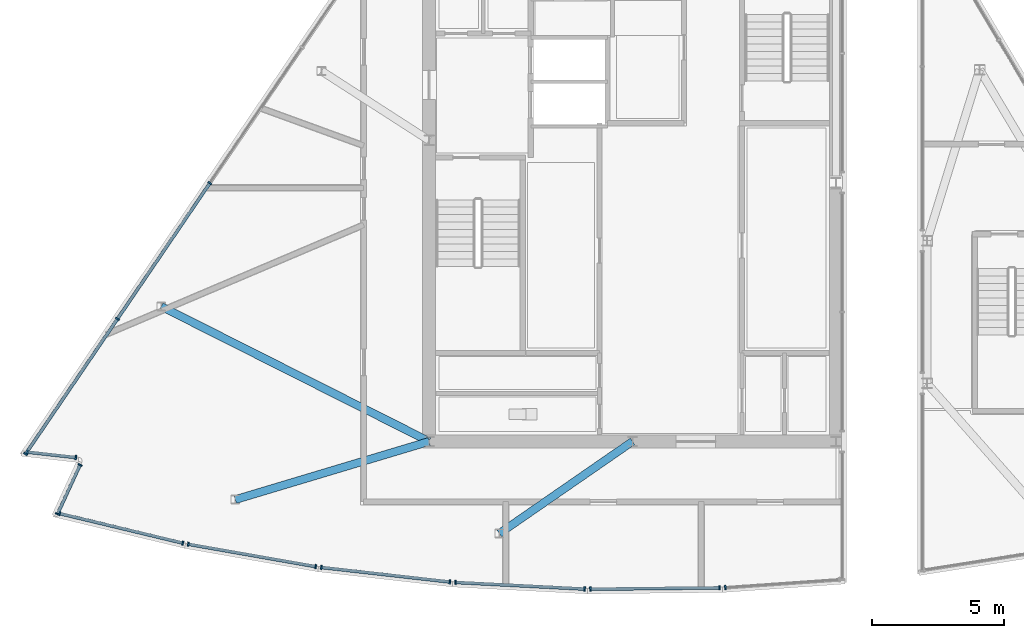
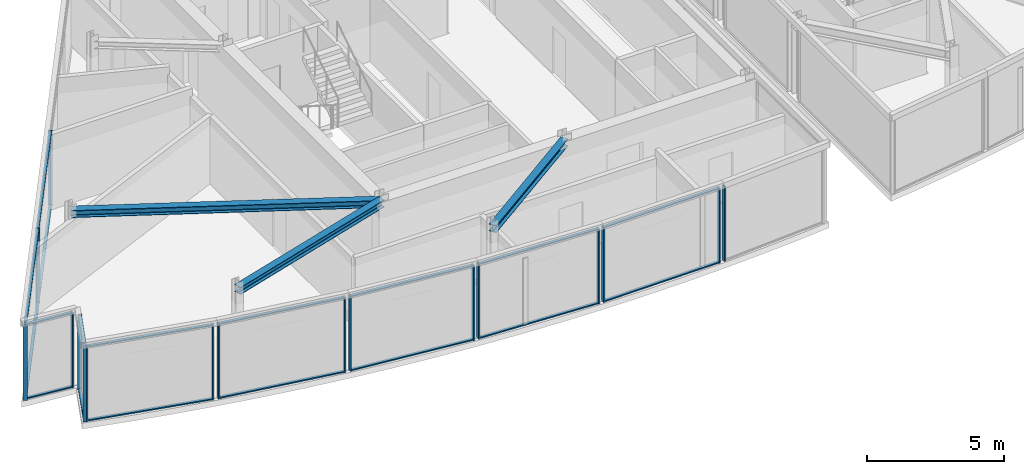
# One storey, part 3 of 15: 36 members, 3 beams, 9 elements without a shape of their own.
"""IFC4 building model written with IfcOpenShell, lengths in metres."""

from ifc_helpers import new_model, si_unit, direction, frame, origin, origin_2d, place, context, subcontext, project, spatial, rectangle, i_section, extrude, material, material_profile, profile_set, type_object, element, aggregate, save


model = new_model("IFC4")

# Units and contexts
model_context = context("Model", 3, precision=1e-05, world=origin(), true_north=direction((0.0, 1.0)))
body_context = subcontext(model_context, "Body", "Model", "MODEL_VIEW")
ifc_project = project(units=[si_unit("LENGTHUNIT", "METRE"), si_unit("AREAUNIT", "SQUARE_METRE"), si_unit("VOLUMEUNIT", "CUBIC_METRE"), si_unit("PLANEANGLEUNIT", "RADIAN"), si_unit("MASSUNIT", "GRAM", prefix="KILO")], contexts=[model_context])

# Site, building, storey
site_placement = place(None, origin())
site = spatial("IfcSite", under=ifc_project, at=site_placement, CompositionType="ELEMENT")
building_placement = place(site_placement, origin())
building = spatial("IfcBuilding", under=site, at=building_placement, Name="Savorim Split Tower", CompositionType="ELEMENT")
storey_placement = place(building_placement, frame((0.0, 0.0, 304.800048828125)))
storey = spatial("IfcBuildingStorey", under=building, at=storey_placement, Name="Crown L81 Plant", CompositionType="ELEMENT", Elevation=304.800048828125)

# Beams
ifc_material_1 = material(Name="Steel S355", Category="steel")
ifc_material_profile_1 = material_profile(ifc_material_1, i_section(OverallWidth=0.300048828125, OverallDepth=0.320068359375, WebThickness=0.011474609375, FlangeThickness=0.0205078125, FilletRadius=0.027099609375, at=origin_2d()), Name="HEB 320")
ifc_profile_set_1 = profile_set([ifc_material_profile_1], Name="Steel S355")
beam_type = type_object("IfcBeamType", Name="BM-PRI-HEB320", PredefinedType="BEAM", material=ifc_profile_set_1)
beam_1_placement = place(storey_placement, frame((-15.037109375, -11.6015625, 3.179931640625), z_axis=(0.957807862617, 0.287409287096, 0.0), x_axis=(-0.287409287096, 0.957807862617, 0.0)))
element("IfcBeam", 1, at=beam_1_placement, inside=storey, type_object=beam_type, Name="Crown L81 Plant West Crown Beam WBG-1", PredefinedType="BEAM", context=body_context, shape_type="SweptSolid", body=[
    extrude(i_section(OverallWidth=0.300048828125, OverallDepth=0.320068359375, WebThickness=0.011474609375, FlangeThickness=0.0205078125, FilletRadius=0.027099609375, at=origin_2d()), origin(), (0.0, 0.0, 1.0), 7.660400390625),
])
beam_2_placement = place(storey_placement, frame((-5.039794921875, -12.885009765625, 3.179931640625), z_axis=(0.82249616242, 0.568770659233, 0.0), x_axis=(-0.568770659233, 0.82249616242, 0.0)))
element("IfcBeam", 2, at=beam_2_placement, inside=storey, type_object=beam_type, Name="Crown L81 Plant West Crown Beam WBG-2", PredefinedType="BEAM", context=body_context, shape_type="SweptSolid", body=[
    extrude(i_section(OverallWidth=0.300048828125, OverallDepth=0.320068359375, WebThickness=0.011474609375, FlangeThickness=0.0205078125, FilletRadius=0.027099609375, at=origin_2d()), origin(), (0.0, 0.0, 1.0), 6.12744140625),
])
beam_3_placement = place(storey_placement, frame((-17.84033203125, -4.288818359375, 3.179931640625), z_axis=(0.892982084202, -0.450092209769, 0.0), x_axis=(0.450092209769, 0.892982084202, 0.0)))
element("IfcBeam", 3, at=beam_3_placement, inside=storey, type_object=beam_type, Name="Crown L81 Plant West Crown Beam WBG-3", PredefinedType="BEAM", context=body_context, shape_type="SweptSolid", body=[
    extrude(i_section(OverallWidth=0.300048828125, OverallDepth=0.320068359375, WebThickness=0.011474609375, FlangeThickness=0.0205078125, FilletRadius=0.027099609375, at=origin_2d()), origin(), (0.0, 0.0, 1.0), 11.355712890625),
])

# Curtain wall, members
ifc_material_2 = material(Name="Dark Ceramic-Fritted Insulated Glass", Category="glass")
curtain_wall_type = type_object("IfcCurtainWallType", Name="CW-CROWN-CREST", PredefinedType="NOTDEFINED", material=ifc_material_2)
curtain_wall_1_placement = place(storey_placement, origin())
curtain_wall_1 = element("IfcCurtainWall", 4, at=curtain_wall_1_placement, inside=storey, type_object=curtain_wall_type, Name="Crown L81 Plant Curtain Wall CW-Crown-L81-Plant-W5A", PredefinedType="NOTDEFINED")
ifc_material_3 = material(Name="Charcoal Anodised Aluminium", Category="aluminium")
ifc_material_profile_2 = material_profile(ifc_material_3, rectangle(XDim=0.159912109375, YDim=0.06005859375, at=origin_2d()), Name="ALU-M 160x60")
ifc_profile_set_2 = profile_set([ifc_material_profile_2], Name="Charcoal Anodised Aluminium")
member_type_1 = type_object("IfcMemberType", Name="CWM-160x60", PredefinedType="MULLION", material=ifc_profile_set_2)
member_1_placement = place(storey_placement, frame((-16.00390625, 0.38037109375, 0.0), z_axis=(0.0, 0.0, 1.0), x_axis=(0.826819666495, -0.562467100457, 0.0)))
member_1 = element("IfcMember", 5, at=member_1_placement, type_object=member_type_1, Name="CW-07 mullion 5", PredefinedType="MULLION", context=body_context, shape_type="SweptSolid", body=[
    extrude(rectangle(XDim=0.159912109375, YDim=0.06005859375, at=origin_2d()), origin(), (0.0, 0.0, 1.0), 3.33984375),
])
member_2_placement = place(storey_placement, frame((-19.500244140625, -4.759033203125, 0.0), z_axis=(0.0, 0.0, 1.0), x_axis=(0.826819666495, -0.562467100457, 0.0)))
member_2 = element("IfcMember", 6, at=member_2_placement, type_object=member_type_1, Name="CW-07 mullion 6", PredefinedType="MULLION", context=body_context, shape_type="SweptSolid", body=[
    extrude(rectangle(XDim=0.159912109375, YDim=0.06005859375, at=origin_2d()), origin(), (0.0, 0.0, 1.0), 3.33984375),
])
member_3_placement = place(storey_placement, frame((-22.979736328125, -9.873779296875, 0.0), z_axis=(0.0, 0.0, 1.0), x_axis=(0.826819666495, -0.562467100457, 0.0)))
member_3 = element("IfcMember", 7, at=member_3_placement, type_object=member_type_1, Name="CW-07 mullion 7", PredefinedType="MULLION", context=body_context, shape_type="SweptSolid", body=[
    extrude(rectangle(XDim=0.159912109375, YDim=0.06005859375, at=origin_2d()), origin(), (0.0, 0.0, 1.0), 3.33984375),
])

curtain_wall_2_placement = place(storey_placement, origin())
curtain_wall_2 = element("IfcCurtainWall", 8, at=curtain_wall_2_placement, inside=storey, type_object=curtain_wall_type, Name="Crown L81 Plant Curtain Wall CW-Crown-L81-Plant-W6A", PredefinedType="NOTDEFINED")
member_4_placement = place(storey_placement, frame((-22.913818359375, -9.802001953125, 0.0), z_axis=(0.0, 0.0, 1.0), x_axis=(0.110983366393, 0.993822263981, 0.0)))
member_4 = element("IfcMember", 9, at=member_4_placement, type_object=member_type_1, Name="CW-07 mullion 1", PredefinedType="MULLION", context=body_context, shape_type="SweptSolid", body=[
    extrude(rectangle(XDim=0.159912109375, YDim=0.06005859375, at=origin_2d()), origin(), (0.0, 0.0, 1.0), 3.33984375),
])
member_5_placement = place(storey_placement, frame((-21.075927734375, -10.007080078125, 0.0), z_axis=(0.0, 0.0, 1.0), x_axis=(0.110983366393, 0.993822263981, 0.0)))
member_5 = element("IfcMember", 10, at=member_5_placement, type_object=member_type_1, Name="CW-07 mullion 2", PredefinedType="MULLION", context=body_context, shape_type="SweptSolid", body=[
    extrude(rectangle(XDim=0.159912109375, YDim=0.06005859375, at=origin_2d()), origin(), (0.0, 0.0, 1.0), 3.33984375),
])

curtain_wall_3_placement = place(storey_placement, origin())
curtain_wall_3 = element("IfcCurtainWall", 11, at=curtain_wall_3_placement, inside=storey, type_object=curtain_wall_type, Name="Crown L81 Plant Curtain Wall CW-Crown-L81-Plant-W7A", PredefinedType="NOTDEFINED")
member_6_placement = place(storey_placement, frame((-20.916748046875, -10.28857421875, 0.0), z_axis=(0.0, 0.0, 1.0), x_axis=(0.908680256395, -0.417492744415, 0.0)))
member_6 = element("IfcMember", 12, at=member_6_placement, type_object=member_type_1, Name="CW-07 mullion 1", PredefinedType="MULLION", context=body_context, shape_type="SweptSolid", body=[
    extrude(rectangle(XDim=0.159912109375, YDim=0.06005859375, at=origin_2d()), origin(), (0.0, 0.0, 1.0), 3.33984375),
])
member_7_placement = place(storey_placement, frame((-21.769775390625, -12.145263671875, 0.0), z_axis=(0.0, 0.0, 1.0), x_axis=(0.908680256395, -0.417492744415, 0.0)))
member_7 = element("IfcMember", 13, at=member_7_placement, type_object=member_type_1, Name="CW-07 mullion 2", PredefinedType="MULLION", context=body_context, shape_type="SweptSolid", body=[
    extrude(rectangle(XDim=0.159912109375, YDim=0.06005859375, at=origin_2d()), origin(), (0.0, 0.0, 1.0), 3.33984375),
])

curtain_wall_4_placement = place(storey_placement, origin())
curtain_wall_4 = element("IfcCurtainWall", 14, at=curtain_wall_4_placement, inside=storey, type_object=curtain_wall_type, Name="Crown L81 Plant Curtain Wall CW-Crown-L81-Plant-W8A", PredefinedType="NOTDEFINED")
member_8_placement = place(storey_placement, frame((-21.687744140625, -12.128662109375, 0.0), z_axis=(0.0, 0.0, 1.0), x_axis=(0.233173472806, 0.972435155463, 0.0)))
member_8 = element("IfcMember", 15, at=member_8_placement, type_object=member_type_1, Name="CW-07 mullion 1", PredefinedType="MULLION", context=body_context, shape_type="SweptSolid", body=[
    extrude(rectangle(XDim=0.159912109375, YDim=0.06005859375, at=origin_2d()), origin(), (0.0, 0.0, 1.0), 3.33984375),
])
member_9_placement = place(storey_placement, frame((-17.02587890625, -13.24658203125, 0.0), z_axis=(0.0, 0.0, 1.0), x_axis=(0.233173472806, 0.972435155463, 0.0)))
member_9 = element("IfcMember", 16, at=member_9_placement, type_object=member_type_1, Name="CW-07 mullion 2", PredefinedType="MULLION", context=body_context, shape_type="SweptSolid", body=[
    extrude(rectangle(XDim=0.159912109375, YDim=0.06005859375, at=origin_2d()), origin(), (0.0, 0.0, 1.0), 3.33984375),
])

curtain_wall_5_placement = place(storey_placement, origin())
curtain_wall_5 = element("IfcCurtainWall", 17, at=curtain_wall_5_placement, inside=storey, type_object=curtain_wall_type, Name="Crown L81 Plant Curtain Wall CW-Crown-L81-Plant-W9A", PredefinedType="NOTDEFINED")
member_10_placement = place(storey_placement, frame((-16.81787109375, -13.289794921875, 0.0), z_axis=(0.0, 0.0, 1.0), x_axis=(0.17306169169, 0.984910986267, 0.0)))
member_10 = element("IfcMember", 18, at=member_10_placement, type_object=member_type_1, Name="CW-07 mullion 1", PredefinedType="MULLION", context=body_context, shape_type="SweptSolid", body=[
    extrude(rectangle(XDim=0.159912109375, YDim=0.06005859375, at=origin_2d()), origin(), (0.0, 0.0, 1.0), 3.33984375),
])
member_11_placement = place(storey_placement, frame((-11.992919921875, -14.137451171875, 0.0), z_axis=(0.0, 0.0, 1.0), x_axis=(0.17306169169, 0.984910986267, 0.0)))
member_11 = element("IfcMember", 19, at=member_11_placement, type_object=member_type_1, Name="CW-07 mullion 2", PredefinedType="MULLION", context=body_context, shape_type="SweptSolid", body=[
    extrude(rectangle(XDim=0.159912109375, YDim=0.06005859375, at=origin_2d()), origin(), (0.0, 0.0, 1.0), 3.33984375),
])

curtain_wall_6_placement = place(storey_placement, origin())
curtain_wall_6 = element("IfcCurtainWall", 20, at=curtain_wall_6_placement, inside=storey, type_object=curtain_wall_type, Name="Crown L81 Plant Curtain Wall CW-Crown-L81-Plant-W10A", PredefinedType="NOTDEFINED")
member_12_placement = place(storey_placement, frame((-11.782470703125, -14.167724609375, 0.0), z_axis=(0.0, 0.0, 1.0), x_axis=(0.11232146693, 0.993671921746, 0.0)))
member_12 = element("IfcMember", 21, at=member_12_placement, type_object=member_type_1, Name="CW-07 mullion 1", PredefinedType="MULLION", context=body_context, shape_type="SweptSolid", body=[
    extrude(rectangle(XDim=0.159912109375, YDim=0.06005859375, at=origin_2d()), origin(), (0.0, 0.0, 1.0), 3.33984375),
])
member_13_placement = place(storey_placement, frame((-6.91455078125, -14.718017578125, 0.0), z_axis=(0.0, 0.0, 1.0), x_axis=(0.11232146693, 0.993671921746, 0.0)))
member_13 = element("IfcMember", 22, at=member_13_placement, type_object=member_type_1, Name="CW-07 mullion 2", PredefinedType="MULLION", context=body_context, shape_type="SweptSolid", body=[
    extrude(rectangle(XDim=0.159912109375, YDim=0.06005859375, at=origin_2d()), origin(), (0.0, 0.0, 1.0), 3.33984375),
])

curtain_wall_7_placement = place(storey_placement, origin())
curtain_wall_7 = element("IfcCurtainWall", 23, at=curtain_wall_7_placement, inside=storey, type_object=curtain_wall_type, Name="Crown L81 Plant Curtain Wall CW-Crown-L81-Plant-W11A", PredefinedType="NOTDEFINED")
member_14_placement = place(storey_placement, frame((-6.70263671875, -14.7353515625, 0.0), z_axis=(0.0, 0.0, 1.0), x_axis=(0.051140488768, 0.998691469078, 0.0)))
member_14 = element("IfcMember", 24, at=member_14_placement, type_object=member_type_1, Name="CW-07 mullion 1", PredefinedType="MULLION", context=body_context, shape_type="SweptSolid", body=[
    extrude(rectangle(XDim=0.159912109375, YDim=0.06005859375, at=origin_2d()), origin(), (0.0, 0.0, 1.0), 3.33984375),
])
member_15_placement = place(storey_placement, frame((-1.810302734375, -14.98583984375, 0.0), z_axis=(0.0, 0.0, 1.0), x_axis=(0.051140488768, 0.998691469078, 0.0)))
member_15 = element("IfcMember", 25, at=member_15_placement, type_object=member_type_1, Name="CW-07 mullion 2", PredefinedType="MULLION", context=body_context, shape_type="SweptSolid", body=[
    extrude(rectangle(XDim=0.159912109375, YDim=0.06005859375, at=origin_2d()), origin(), (0.0, 0.0, 1.0), 3.33984375),
])

curtain_wall_8_placement = place(storey_placement, origin())
curtain_wall_8 = element("IfcCurtainWall", 26, at=curtain_wall_8_placement, inside=storey, type_object=curtain_wall_type, Name="Crown L81 Plant Curtain Wall CW-Crown-L81-Plant-W12A", PredefinedType="NOTDEFINED")
member_16_placement = place(storey_placement, frame((-1.59765625, -14.990234375, 0.0), z_axis=(0.0, 0.0, 1.0), x_axis=(-0.010223919602, 0.999947734368, 0.0)))
member_16 = element("IfcMember", 27, at=member_16_placement, type_object=member_type_1, Name="CW-07 mullion 1", PredefinedType="MULLION", context=body_context, shape_type="SweptSolid", body=[
    extrude(rectangle(XDim=0.159912109375, YDim=0.06005859375, at=origin_2d()), origin(), (0.0, 0.0, 1.0), 3.33984375),
])
member_17_placement = place(storey_placement, frame((3.301025390625, -14.940185546875, 0.0), z_axis=(0.0, 0.0, 1.0), x_axis=(-0.010223919602, 0.999947734368, 0.0)))
member_17 = element("IfcMember", 28, at=member_17_placement, type_object=member_type_1, Name="CW-07 mullion 2", PredefinedType="MULLION", context=body_context, shape_type="SweptSolid", body=[
    extrude(rectangle(XDim=0.159912109375, YDim=0.06005859375, at=origin_2d()), origin(), (0.0, 0.0, 1.0), 3.33984375),
])

# Curtain wall, member
curtain_wall_9_placement = place(storey_placement, origin())
curtain_wall_9 = element("IfcCurtainWall", 29, at=curtain_wall_9_placement, inside=storey, type_object=curtain_wall_type, Name="Crown L81 Plant Curtain Wall CW-Crown-L81-Plant-W13A", PredefinedType="NOTDEFINED")
member_18_placement = place(storey_placement, frame((3.513671875, -14.931640625, 0.0), z_axis=(0.0, 0.0, 1.0), x_axis=(-0.069501131045, 0.997581872722, 0.0)))
member_18 = element("IfcMember", 30, at=member_18_placement, type_object=member_type_1, Name="CW-07 mullion 1", PredefinedType="MULLION", context=body_context, shape_type="SweptSolid", body=[
    extrude(rectangle(XDim=0.159912109375, YDim=0.06005859375, at=origin_2d()), origin(), (0.0, 0.0, 1.0), 3.33984375),
])
aggregate(curtain_wall_9, [member_18])

# Member
ifc_material_profile_3 = material_profile(ifc_material_3, rectangle(XDim=0.1201171875, YDim=0.050048828125, at=origin_2d()), Name="ALU-T 120x50")
ifc_profile_set_3 = profile_set([ifc_material_profile_3], Name="Charcoal Anodised Aluminium")
member_type_2 = type_object("IfcMemberType", Name="CWT-120x50", PredefinedType="USERDEFINED", material=ifc_profile_set_3)
member_19_placement = place(storey_placement, frame((-16.020751953125, 0.355712890625, 0.02490234375), z_axis=(-0.562464042895, -0.826821746479, 0.0), x_axis=(0.826821746479, -0.562464042895, 0.0)))
member_19 = element("IfcMember", 31, at=member_19_placement, type_object=member_type_2, Name="CW-07 transom 5.1", ObjectType="TRANSOM", PredefinedType="USERDEFINED", context=body_context, shape_type="SweptSolid", body=[
    extrude(rectangle(XDim=0.1201171875, YDim=0.050048828125, at=origin_2d()), origin(), (0.0, 0.0, 1.0), 6.15625),
])

member_20_placement = place(storey_placement, frame((-16.020751953125, 0.355712890625, 3.31494140625), z_axis=(-0.562464042895, -0.826821746479, 0.0), x_axis=(0.826821746479, -0.562464042895, 0.0)))
member_20 = element("IfcMember", 32, at=member_20_placement, type_object=member_type_2, Name="CW-07 transom 5.2", ObjectType="TRANSOM", PredefinedType="USERDEFINED", context=body_context, shape_type="SweptSolid", body=[
    extrude(rectangle(XDim=0.1201171875, YDim=0.050048828125, at=origin_2d()), origin(), (0.0, 0.0, 1.0), 6.15625),
])

member_21_placement = place(storey_placement, frame((-19.51708984375, -4.783935546875, 0.02490234375), z_axis=(-0.562474607895, -0.826814559302, 0.0), x_axis=(0.826814559302, -0.562474607895, 0.0)))
member_21 = element("IfcMember", 33, at=member_21_placement, type_object=member_type_2, Name="CW-07 transom 6.1", ObjectType="TRANSOM", PredefinedType="USERDEFINED", context=body_context, shape_type="SweptSolid", body=[
    extrude(rectangle(XDim=0.1201171875, YDim=0.050048828125, at=origin_2d()), origin(), (0.0, 0.0, 1.0), 6.126220703125),
])

member_22_placement = place(storey_placement, frame((-19.51708984375, -4.783935546875, 3.31494140625), z_axis=(-0.562474607895, -0.826814559302, 0.0), x_axis=(0.826814559302, -0.562474607895, 0.0)))
member_22 = element("IfcMember", 34, at=member_22_placement, type_object=member_type_2, Name="CW-07 transom 6.2", ObjectType="TRANSOM", PredefinedType="USERDEFINED", context=body_context, shape_type="SweptSolid", body=[
    extrude(rectangle(XDim=0.1201171875, YDim=0.050048828125, at=origin_2d()), origin(), (0.0, 0.0, 1.0), 6.126220703125),
])

aggregate(curtain_wall_1, [member_1, member_2, member_3, member_19, member_20, member_21, member_22])

member_23_placement = place(storey_placement, frame((-22.884033203125, -9.80517578125, 0.02490234375), z_axis=(0.993813652844, -0.111060449398, 0.0), x_axis=(0.111060449398, 0.993813652844, 0.0)))
member_23 = element("IfcMember", 35, at=member_23_placement, type_object=member_type_2, Name="CW-07 transom 1.1", ObjectType="TRANSOM", PredefinedType="USERDEFINED", context=body_context, shape_type="SweptSolid", body=[
    extrude(rectangle(XDim=0.1201171875, YDim=0.050048828125, at=origin_2d()), origin(), (0.0, 0.0, 1.0), 1.789306640625),
])

member_24_placement = place(storey_placement, frame((-22.884033203125, -9.80517578125, 3.31494140625), z_axis=(0.993813652844, -0.111060449398, 0.0), x_axis=(0.111060449398, 0.993813652844, 0.0)))
member_24 = element("IfcMember", 36, at=member_24_placement, type_object=member_type_2, Name="CW-07 transom 1.2", ObjectType="TRANSOM", PredefinedType="USERDEFINED", context=body_context, shape_type="SweptSolid", body=[
    extrude(rectangle(XDim=0.1201171875, YDim=0.050048828125, at=origin_2d()), origin(), (0.0, 0.0, 1.0), 1.789306640625),
])

aggregate(curtain_wall_2, [member_4, member_5, member_23, member_24])

member_25_placement = place(storey_placement, frame((-20.929443359375, -10.31591796875, 0.02490234375), z_axis=(-0.41742599941, -0.908710919389, 0.0), x_axis=(0.908710919389, -0.41742599941, 0.0)))
member_25 = element("IfcMember", 37, at=member_25_placement, type_object=member_type_2, Name="CW-07 transom 1.1", ObjectType="TRANSOM", PredefinedType="USERDEFINED", context=body_context, shape_type="SweptSolid", body=[
    extrude(rectangle(XDim=0.1201171875, YDim=0.050048828125, at=origin_2d()), origin(), (0.0, 0.0, 1.0), 1.9833984375),
])

member_26_placement = place(storey_placement, frame((-20.929443359375, -10.31591796875, 3.31494140625), z_axis=(-0.41742599941, -0.908710919389, 0.0), x_axis=(0.908710919389, -0.41742599941, 0.0)))
member_26 = element("IfcMember", 38, at=member_26_placement, type_object=member_type_2, Name="CW-07 transom 1.2", ObjectType="TRANSOM", PredefinedType="USERDEFINED", context=body_context, shape_type="SweptSolid", body=[
    extrude(rectangle(XDim=0.1201171875, YDim=0.050048828125, at=origin_2d()), origin(), (0.0, 0.0, 1.0), 1.9833984375),
])

aggregate(curtain_wall_3, [member_6, member_7, member_25, member_26])

member_27_placement = place(storey_placement, frame((-21.658447265625, -12.1357421875, 0.02490234375), z_axis=(0.972436436098, -0.233168131933, 0.0), x_axis=(0.233168131933, 0.972436436098, 0.0)))
member_27 = element("IfcMember", 39, at=member_27_placement, type_object=member_type_2, Name="CW-07 transom 1.1", ObjectType="TRANSOM", PredefinedType="USERDEFINED", context=body_context, shape_type="SweptSolid", body=[
    extrude(rectangle(XDim=0.1201171875, YDim=0.050048828125, at=origin_2d()), origin(), (0.0, 0.0, 1.0), 4.733642578125),
])

member_28_placement = place(storey_placement, frame((-21.658447265625, -12.1357421875, 3.31494140625), z_axis=(0.972436436098, -0.233168131933, 0.0), x_axis=(0.233168131933, 0.972436436098, 0.0)))
member_28 = element("IfcMember", 40, at=member_28_placement, type_object=member_type_2, Name="CW-07 transom 1.2", ObjectType="TRANSOM", PredefinedType="USERDEFINED", context=body_context, shape_type="SweptSolid", body=[
    extrude(rectangle(XDim=0.1201171875, YDim=0.050048828125, at=origin_2d()), origin(), (0.0, 0.0, 1.0), 4.733642578125),
])

aggregate(curtain_wall_4, [member_8, member_9, member_27, member_28])

member_29_placement = place(storey_placement, frame((-16.788330078125, -13.294921875, 0.02490234375), z_axis=(0.984911794812, -0.173057090119, 0.0), x_axis=(0.173057090119, 0.984911794812, 0.0)))
member_29 = element("IfcMember", 41, at=member_29_placement, type_object=member_type_2, Name="CW-07 transom 1.1", ObjectType="TRANSOM", PredefinedType="USERDEFINED", context=body_context, shape_type="SweptSolid", body=[
    extrude(rectangle(XDim=0.1201171875, YDim=0.050048828125, at=origin_2d()), origin(), (0.0, 0.0, 1.0), 4.8388671875),
])

member_30_placement = place(storey_placement, frame((-16.788330078125, -13.294921875, 3.31494140625), z_axis=(0.984911794812, -0.173057090119, 0.0), x_axis=(0.173057090119, 0.984911794812, 0.0)))
member_30 = element("IfcMember", 42, at=member_30_placement, type_object=member_type_2, Name="CW-07 transom 1.2", ObjectType="TRANSOM", PredefinedType="USERDEFINED", context=body_context, shape_type="SweptSolid", body=[
    extrude(rectangle(XDim=0.1201171875, YDim=0.050048828125, at=origin_2d()), origin(), (0.0, 0.0, 1.0), 4.8388671875),
])

aggregate(curtain_wall_5, [member_10, member_11, member_29, member_30])

member_31_placement = place(storey_placement, frame((-11.752685546875, -14.171142578125, 0.02490234375), z_axis=(0.993673381435, -0.112308552784, 0.0), x_axis=(0.112308552784, 0.993673381435, 0.0)))
member_31 = element("IfcMember", 43, at=member_31_placement, type_object=member_type_2, Name="CW-07 transom 1.1", ObjectType="TRANSOM", PredefinedType="USERDEFINED", context=body_context, shape_type="SweptSolid", body=[
    extrude(rectangle(XDim=0.1201171875, YDim=0.050048828125, at=origin_2d()), origin(), (0.0, 0.0, 1.0), 4.8388671875),
])

member_32_placement = place(storey_placement, frame((-11.752685546875, -14.171142578125, 3.31494140625), z_axis=(0.993673381435, -0.112308552784, 0.0), x_axis=(0.112308552784, 0.993673381435, 0.0)))
member_32 = element("IfcMember", 44, at=member_32_placement, type_object=member_type_2, Name="CW-07 transom 1.2", ObjectType="TRANSOM", PredefinedType="USERDEFINED", context=body_context, shape_type="SweptSolid", body=[
    extrude(rectangle(XDim=0.1201171875, YDim=0.050048828125, at=origin_2d()), origin(), (0.0, 0.0, 1.0), 4.8388671875),
])

aggregate(curtain_wall_6, [member_12, member_13, member_31, member_32])

member_33_placement = place(storey_placement, frame((-6.6728515625, -14.73681640625, 0.02490234375), z_axis=(0.998690441123, -0.051160559124, 0.0), x_axis=(0.051160559124, 0.998690441123, 0.0)))
member_33 = element("IfcMember", 45, at=member_33_placement, type_object=member_type_2, Name="CW-07 transom 1.1", ObjectType="TRANSOM", PredefinedType="USERDEFINED", context=body_context, shape_type="SweptSolid", body=[
    extrude(rectangle(XDim=0.1201171875, YDim=0.050048828125, at=origin_2d()), origin(), (0.0, 0.0, 1.0), 4.8388671875),
])

member_34_placement = place(storey_placement, frame((-6.6728515625, -14.73681640625, 3.31494140625), z_axis=(0.998690441123, -0.051160559124, 0.0), x_axis=(0.051160559124, 0.998690441123, 0.0)))
member_34 = element("IfcMember", 46, at=member_34_placement, type_object=member_type_2, Name="CW-07 transom 1.2", ObjectType="TRANSOM", PredefinedType="USERDEFINED", context=body_context, shape_type="SweptSolid", body=[
    extrude(rectangle(XDim=0.1201171875, YDim=0.050048828125, at=origin_2d()), origin(), (0.0, 0.0, 1.0), 4.8388671875),
])

aggregate(curtain_wall_7, [member_14, member_15, member_33, member_34])

member_35_placement = place(storey_placement, frame((-1.567626953125, -14.989990234375, 0.02490234375), z_axis=(0.999947547712, 0.01024215915, 0.0), x_axis=(-0.01024215915, 0.999947547712, 0.0)))
member_35 = element("IfcMember", 47, at=member_35_placement, type_object=member_type_2, Name="CW-07 transom 1.1", ObjectType="TRANSOM", PredefinedType="USERDEFINED", context=body_context, shape_type="SweptSolid", body=[
    extrude(rectangle(XDim=0.1201171875, YDim=0.050048828125, at=origin_2d()), origin(), (0.0, 0.0, 1.0), 4.8388671875),
])

member_36_placement = place(storey_placement, frame((-1.567626953125, -14.989990234375, 3.31494140625), z_axis=(0.999947547712, 0.01024215915, 0.0), x_axis=(-0.01024215915, 0.999947547712, 0.0)))
member_36 = element("IfcMember", 48, at=member_36_placement, type_object=member_type_2, Name="CW-07 transom 1.2", ObjectType="TRANSOM", PredefinedType="USERDEFINED", context=body_context, shape_type="SweptSolid", body=[
    extrude(rectangle(XDim=0.1201171875, YDim=0.050048828125, at=origin_2d()), origin(), (0.0, 0.0, 1.0), 4.8388671875),
])

aggregate(curtain_wall_8, [member_16, member_17, member_35, member_36])

save(model, "model.ifc")
